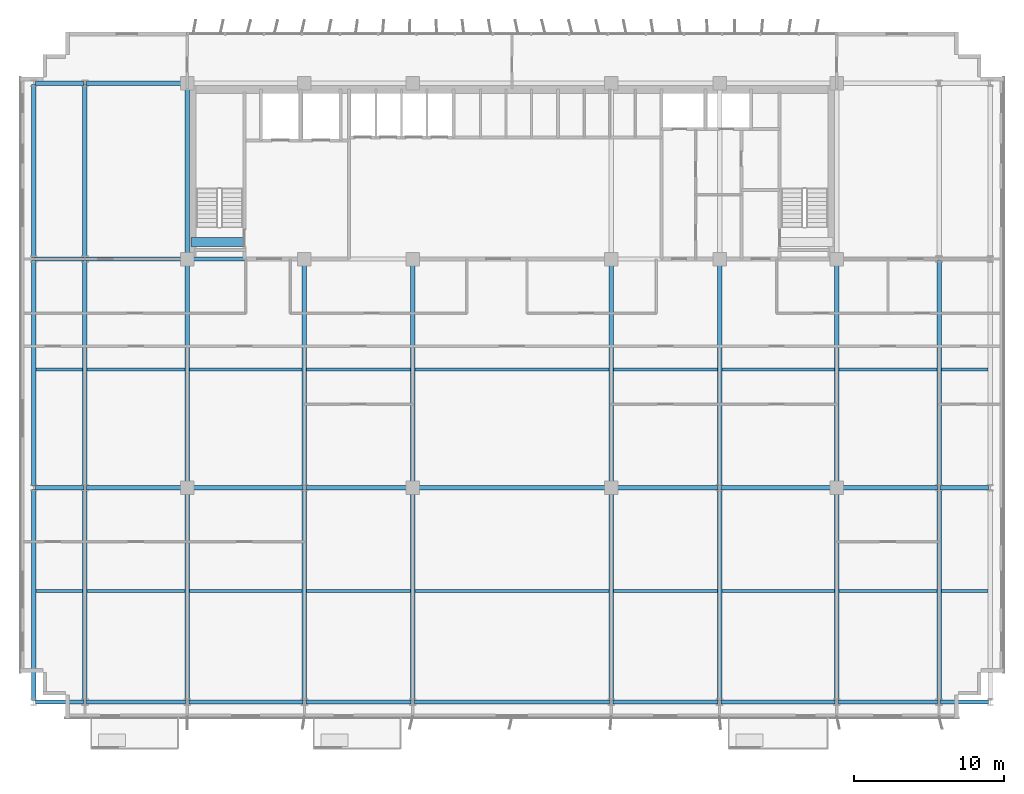
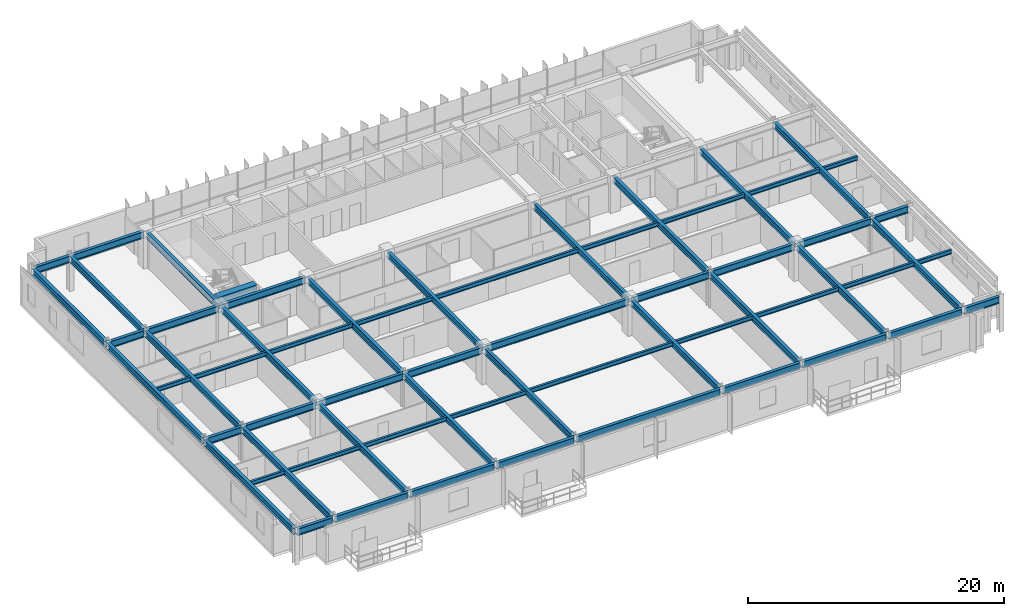
# One storey, part 4 of 21: 63 beams.
"""IFC4 building model written with IfcOpenShell, lengths in metres."""

from ifc_helpers import new_model, si_unit, direction, frame, origin, origin_2d, place, context, subcontext, project, spatial, rectangle, i_section, extrude, source, transform, mapped, material, material_profile, profile_set, type_object, element, save


model = new_model("IFC4")

# Units and contexts
model_context = context("Model", 3, precision=1e-05, world=origin(), true_north=direction((0.0, 1.0)))
body_context = subcontext(model_context, "Body", "Model", "MODEL_VIEW")
ifc_project = project(units=[si_unit("LENGTHUNIT", "METRE"), si_unit("AREAUNIT", "SQUARE_METRE"), si_unit("VOLUMEUNIT", "CUBIC_METRE"), si_unit("PLANEANGLEUNIT", "RADIAN"), si_unit("MASSUNIT", "GRAM", prefix="KILO")], contexts=[model_context])

# Site, building, storey
site_placement = place(None, origin())
site = spatial("IfcSite", under=ifc_project, at=site_placement, CompositionType="ELEMENT")
building_placement = place(site_placement, origin())
building = spatial("IfcBuilding", under=site, at=building_placement, Name="Trelvane Seafront Commons", CompositionType="ELEMENT")
storey_placement = place(building_placement, frame((0.0, 0.0, 37.89990234375)))
storey = spatial("IfcBuildingStorey", under=building, at=storey_placement, Name="L09", CompositionType="ELEMENT", Elevation=37.89990234375)

# Beams
ifc_material_1 = material(Name="Concrete C60/75", Category="concrete")
ifc_material_profile_1 = material_profile(ifc_material_1, rectangle(XDim=0.60009765625, YDim=0.89990234375, at=origin_2d()), Name="RC-600x900")
ifc_profile_set_1 = profile_set([ifc_material_profile_1], Name="Concrete C60/75")
beam_type_1 = type_object("IfcBeamType", Name="STR-LNT-RC600x900", PredefinedType="LINTEL", material=ifc_profile_set_1)
shared_shape_1 = source(origin(), body_context, "Body", "SweptSolid", [
    extrude(rectangle(XDim=0.60009765625, YDim=0.89990234375, at=origin_2d()), origin(), (0.0, 0.0, 1.0), 3.5498046875),
])
beam_1_placement = place(storey_placement, frame((15.85009765625, 34.550048828125, 2.89013671875), z_axis=(1.0, 0.0, 0.0), x_axis=(0.0, 1.0, 0.0)))
element("IfcBeam", 1, at=beam_1_placement, inside=storey, type_object=beam_type_1, Name="L09 Core Coupling Lintel Beam CB-85", PredefinedType="LINTEL", context=body_context, shape_type="MappedRepresentation", body=[
    mapped(shared_shape_1, transform((0.0, 0.0, 0.0), x_axis=(1.0, 0.0, 0.0), y_axis=(0.0, 1.0, 0.0), z_axis=(0.0, 0.0, 1.0), scale=1.0)),
])
ifc_material_2 = material(Name="Steel SM355 (S355)", Category="steel")
ifc_material_profile_2 = material_profile(ifc_material_2, i_section(OverallWidth=0.280029296875, OverallDepth=0.64990234375, WebThickness=0.012939453125, FlangeThickness=0.02197265625, at=origin_2d()), Name="H-650x280x13x22")
ifc_profile_set_2 = profile_set([ifc_material_profile_2], Name="Steel SM355 (S355)")
beam_type_2 = type_object("IfcBeamType", Name="STR-BM-H650", PredefinedType="BEAM", material=ifc_profile_set_2)
shared_shape_2 = source(origin(), body_context, "Body", "SweptSolid", [
    extrude(i_section(OverallWidth=0.280029296875, OverallDepth=0.64990234375, WebThickness=0.012939453125, FlangeThickness=0.02197265625, at=origin_2d()), origin(), (0.0, 0.0, 1.0), 3.190185546875),
])
for number, where, z_axis, x_axis, name in (
    (2, (5.5048828125, 3.949951171875, 3.01513671875), (1.0, 0.0, 0.0), (0.0, 1.0, 0.0), "L09 Primary Girder G-01"),
    (3, (5.5048828125, 18.199951171875, 3.01513671875), (1.0, 0.0, 0.0), (0.0, 1.0, 0.0), "L09 Primary Girder G-10"),
    (4, (5.5048828125, 33.39990234375, 3.01513671875), (1.0, 0.0, 0.0), (0.0, 1.0, 0.0), "L09 Primary Girder G-19"),
    (5, (5.5048828125, 45.10009765625, 3.01513671875), (1.0, 0.0, 0.0), (0.0, 1.0, 0.0), "L09 Primary Girder G-28"),
):
    element("IfcBeam", number, at=place(storey_placement, frame(where, z_axis=z_axis, x_axis=x_axis)), inside=storey, type_object=beam_type_2, Name=name, PredefinedType="BEAM", context=body_context, shape_type="MappedRepresentation", body=[
        mapped(shared_shape_2, transform((0.0, 0.0, 0.0), x_axis=(1.0, 0.0, 0.0), y_axis=(0.0, 1.0, 0.0), z_axis=(0.0, 0.0, 1.0), scale=1.0)),
    ])
shared_shape_3 = source(origin(), body_context, "Body", "SweptSolid", [
    extrude(i_section(OverallWidth=0.280029296875, OverallDepth=0.64990234375, WebThickness=0.012939453125, FlangeThickness=0.02197265625, at=origin_2d()), origin(), (0.0, 0.0, 1.0), 6.590087890625),
])
for number, where, z_axis, x_axis, name in (
    (6, (8.905029296875, 3.949951171875, 3.01513671875), (1.0, 0.0, 0.0), (0.0, 1.0, 0.0), "L09 Primary Girder G-02"),
    (7, (58.905029296875, 3.949951171875, 3.01513671875), (1.0, 0.0, 0.0), (0.0, 1.0, 0.0), "L09 Primary Girder G-08"),
):
    element("IfcBeam", number, at=place(storey_placement, frame(where, z_axis=z_axis, x_axis=x_axis)), inside=storey, type_object=beam_type_2, Name=name, PredefinedType="BEAM", context=body_context, shape_type="MappedRepresentation", body=[
        mapped(shared_shape_3, transform((0.0, 0.0, 0.0), x_axis=(1.0, 0.0, 0.0), y_axis=(0.0, 1.0, 0.0), z_axis=(0.0, 0.0, 1.0), scale=1.0)),
    ])
shared_shape_4 = source(origin(), body_context, "Body", "SweptSolid", [
    extrude(i_section(OverallWidth=0.280029296875, OverallDepth=0.64990234375, WebThickness=0.012939453125, FlangeThickness=0.02197265625, at=origin_2d()), origin(), (0.0, 0.0, 1.0), 7.58984375),
])
beam_2_placement = place(storey_placement, frame((15.705078125, 3.949951171875, 3.01513671875), z_axis=(1.0, 0.0, 0.0), x_axis=(0.0, 1.0, 0.0)))
element("IfcBeam", 8, at=beam_2_placement, inside=storey, type_object=beam_type_2, Name="L09 Primary Girder G-03", PredefinedType="BEAM", context=body_context, shape_type="MappedRepresentation", body=[
    mapped(shared_shape_4, transform((0.0, 0.0, 0.0), x_axis=(1.0, 0.0, 0.0), y_axis=(0.0, 1.0, 0.0), z_axis=(0.0, 0.0, 1.0), scale=1.0)),
])
shared_shape_5 = source(origin(), body_context, "Body", "SweptSolid", [
    extrude(i_section(OverallWidth=0.280029296875, OverallDepth=0.64990234375, WebThickness=0.012939453125, FlangeThickness=0.02197265625, at=origin_2d()), origin(), (0.0, 0.0, 1.0), 6.990234375),
])
beam_3_placement = place(storey_placement, frame((23.5048828125, 3.949951171875, 3.01513671875), z_axis=(1.0, 0.0, 0.0), x_axis=(0.0, 1.0, 0.0)))
element("IfcBeam", 9, at=beam_3_placement, inside=storey, type_object=beam_type_2, Name="L09 Primary Girder G-04", PredefinedType="BEAM", context=body_context, shape_type="MappedRepresentation", body=[
    mapped(shared_shape_5, transform((0.0, 0.0, 0.0), x_axis=(1.0, 0.0, 0.0), y_axis=(0.0, 1.0, 0.0), z_axis=(0.0, 0.0, 1.0), scale=1.0)),
])
shared_shape_6 = source(origin(), body_context, "Body", "SweptSolid", [
    extrude(i_section(OverallWidth=0.280029296875, OverallDepth=0.64990234375, WebThickness=0.012939453125, FlangeThickness=0.02197265625, at=origin_2d()), origin(), (0.0, 0.0, 1.0), 12.989990234375),
])
beam_4_placement = place(storey_placement, frame((30.705078125, 3.949951171875, 3.01513671875), z_axis=(1.0, 0.0, 0.0), x_axis=(0.0, 1.0, 0.0)))
element("IfcBeam", 10, at=beam_4_placement, inside=storey, type_object=beam_type_2, Name="L09 Primary Girder G-05", PredefinedType="BEAM", context=body_context, shape_type="MappedRepresentation", body=[
    mapped(shared_shape_6, transform((0.0, 0.0, 0.0), x_axis=(1.0, 0.0, 0.0), y_axis=(0.0, 1.0, 0.0), z_axis=(0.0, 0.0, 1.0), scale=1.0)),
])
shared_shape_7 = source(origin(), body_context, "Body", "SweptSolid", [
    extrude(i_section(OverallWidth=0.280029296875, OverallDepth=0.64990234375, WebThickness=0.012939453125, FlangeThickness=0.02197265625, at=origin_2d()), origin(), (0.0, 0.0, 1.0), 6.989990234375),
])
beam_5_placement = place(storey_placement, frame((43.905029296875, 3.949951171875, 3.01513671875), z_axis=(1.0, 0.0, 0.0), x_axis=(0.0, 1.0, 0.0)))
element("IfcBeam", 11, at=beam_5_placement, inside=storey, type_object=beam_type_2, Name="L09 Primary Girder G-06", PredefinedType="BEAM", context=body_context, shape_type="MappedRepresentation", body=[
    mapped(shared_shape_7, transform((0.0, 0.0, 0.0), x_axis=(1.0, 0.0, 0.0), y_axis=(0.0, 1.0, 0.0), z_axis=(0.0, 0.0, 1.0), scale=1.0)),
])
shared_shape_8 = source(origin(), body_context, "Body", "SweptSolid", [
    extrude(i_section(OverallWidth=0.280029296875, OverallDepth=0.64990234375, WebThickness=0.012939453125, FlangeThickness=0.02197265625, at=origin_2d()), origin(), (0.0, 0.0, 1.0), 7.590087890625),
])
beam_6_placement = place(storey_placement, frame((51.10498046875, 3.949951171875, 3.01513671875), z_axis=(1.0, 0.0, 0.0), x_axis=(0.0, 1.0, 0.0)))
element("IfcBeam", 12, at=beam_6_placement, inside=storey, type_object=beam_type_2, Name="L09 Primary Girder G-07", PredefinedType="BEAM", context=body_context, shape_type="MappedRepresentation", body=[
    mapped(shared_shape_8, transform((0.0, 0.0, 0.0), x_axis=(1.0, 0.0, 0.0), y_axis=(0.0, 1.0, 0.0), z_axis=(0.0, 0.0, 1.0), scale=1.0)),
])
shared_shape_9 = source(origin(), body_context, "Body", "SweptSolid", [
    extrude(i_section(OverallWidth=0.280029296875, OverallDepth=0.64990234375, WebThickness=0.012939453125, FlangeThickness=0.02197265625, at=origin_2d()), origin(), (0.0, 0.0, 1.0), 3.18994140625),
])
for number, where, z_axis, x_axis, name in (
    (13, (65.705078125, 3.949951171875, 3.01513671875), (1.0, 0.0, 0.0), (0.0, 1.0, 0.0), "L09 Primary Girder G-09"),
    (14, (65.705078125, 18.199951171875, 3.01513671875), (1.0, 0.0, 0.0), (0.0, 1.0, 0.0), "L09 Primary Girder G-18"),
):
    element("IfcBeam", number, at=place(storey_placement, frame(where, z_axis=z_axis, x_axis=x_axis)), inside=storey, type_object=beam_type_2, Name=name, PredefinedType="BEAM", context=body_context, shape_type="MappedRepresentation", body=[
        mapped(shared_shape_9, transform((0.0, 0.0, 0.0), x_axis=(1.0, 0.0, 0.0), y_axis=(0.0, 1.0, 0.0), z_axis=(0.0, 0.0, 1.0), scale=1.0)),
    ])
shared_shape_10 = source(origin(), body_context, "Body", "SweptSolid", [
    extrude(i_section(OverallWidth=0.280029296875, OverallDepth=0.64990234375, WebThickness=0.012939453125, FlangeThickness=0.02197265625, at=origin_2d()), origin(), (0.0, 0.0, 1.0), 6.544921875),
])
for number, where, z_axis, x_axis, name in (
    (15, (8.905029296875, 18.199951171875, 3.01513671875), (1.0, 0.0, 0.0), (0.0, 1.0, 0.0), "L09 Primary Girder G-11"),
    (16, (8.905029296875, 33.39990234375, 3.01513671875), (1.0, 0.0, 0.0), (0.0, 1.0, 0.0), "L09 Primary Girder G-20"),
    (17, (8.905029296875, 45.10009765625, 3.01513671875), (1.0, 0.0, 0.0), (0.0, 1.0, 0.0), "L09 Primary Girder G-29"),
):
    element("IfcBeam", number, at=place(storey_placement, frame(where, z_axis=z_axis, x_axis=x_axis)), inside=storey, type_object=beam_type_2, Name=name, PredefinedType="BEAM", context=body_context, shape_type="MappedRepresentation", body=[
        mapped(shared_shape_10, transform((0.0, 0.0, 0.0), x_axis=(1.0, 0.0, 0.0), y_axis=(0.0, 1.0, 0.0), z_axis=(0.0, 0.0, 1.0), scale=1.0)),
    ])
shared_shape_11 = source(origin(), body_context, "Body", "SweptSolid", [
    extrude(i_section(OverallWidth=0.280029296875, OverallDepth=0.64990234375, WebThickness=0.012939453125, FlangeThickness=0.02197265625, at=origin_2d()), origin(), (0.0, 0.0, 1.0), 7.544921875),
])
for number, where, z_axis, x_axis, name in (
    (18, (15.75, 18.199951171875, 3.01513671875), (1.0, 0.0, 0.0), (0.0, 1.0, 0.0), "L09 Primary Girder G-12"),
    (19, (51.10498046875, 18.199951171875, 3.01513671875), (1.0, 0.0, 0.0), (0.0, 1.0, 0.0), "L09 Primary Girder G-16"),
):
    element("IfcBeam", number, at=place(storey_placement, frame(where, z_axis=z_axis, x_axis=x_axis)), inside=storey, type_object=beam_type_2, Name=name, PredefinedType="BEAM", context=body_context, shape_type="MappedRepresentation", body=[
        mapped(shared_shape_11, transform((0.0, 0.0, 0.0), x_axis=(1.0, 0.0, 0.0), y_axis=(0.0, 1.0, 0.0), z_axis=(0.0, 0.0, 1.0), scale=1.0)),
    ])
shared_shape_12 = source(origin(), body_context, "Body", "SweptSolid", [
    extrude(i_section(OverallWidth=0.280029296875, OverallDepth=0.64990234375, WebThickness=0.012939453125, FlangeThickness=0.02197265625, at=origin_2d()), origin(), (0.0, 0.0, 1.0), 6.945068359375),
])
for number, where, z_axis, x_axis, name in (
    (20, (23.5048828125, 18.199951171875, 3.01513671875), (1.0, 0.0, 0.0), (0.0, 1.0, 0.0), "L09 Primary Girder G-13"),
    (21, (43.949951171875, 18.199951171875, 3.01513671875), (1.0, 0.0, 0.0), (0.0, 1.0, 0.0), "L09 Primary Girder G-15"),
):
    element("IfcBeam", number, at=place(storey_placement, frame(where, z_axis=z_axis, x_axis=x_axis)), inside=storey, type_object=beam_type_2, Name=name, PredefinedType="BEAM", context=body_context, shape_type="MappedRepresentation", body=[
        mapped(shared_shape_12, transform((0.0, 0.0, 0.0), x_axis=(1.0, 0.0, 0.0), y_axis=(0.0, 1.0, 0.0), z_axis=(0.0, 0.0, 1.0), scale=1.0)),
    ])
shared_shape_13 = source(origin(), body_context, "Body", "SweptSolid", [
    extrude(i_section(OverallWidth=0.280029296875, OverallDepth=0.64990234375, WebThickness=0.012939453125, FlangeThickness=0.02197265625, at=origin_2d()), origin(), (0.0, 0.0, 1.0), 12.89990234375),
])
beam_7_placement = place(storey_placement, frame((30.75, 18.199951171875, 3.01513671875), z_axis=(1.0, 0.0, 0.0), x_axis=(0.0, 1.0, 0.0)))
element("IfcBeam", 22, at=beam_7_placement, inside=storey, type_object=beam_type_2, Name="L09 Primary Girder G-14", PredefinedType="BEAM", context=body_context, shape_type="MappedRepresentation", body=[
    mapped(shared_shape_13, transform((0.0, 0.0, 0.0), x_axis=(1.0, 0.0, 0.0), y_axis=(0.0, 1.0, 0.0), z_axis=(0.0, 0.0, 1.0), scale=1.0)),
])
shared_shape_14 = source(origin(), body_context, "Body", "SweptSolid", [
    extrude(i_section(OverallWidth=0.280029296875, OverallDepth=0.64990234375, WebThickness=0.012939453125, FlangeThickness=0.02197265625, at=origin_2d()), origin(), (0.0, 0.0, 1.0), 6.545166015625),
])
beam_8_placement = place(storey_placement, frame((58.949951171875, 18.199951171875, 3.01513671875), z_axis=(1.0, 0.0, 0.0), x_axis=(0.0, 1.0, 0.0)))
element("IfcBeam", 23, at=beam_8_placement, inside=storey, type_object=beam_type_2, Name="L09 Primary Girder G-17", PredefinedType="BEAM", context=body_context, shape_type="MappedRepresentation", body=[
    mapped(shared_shape_14, transform((0.0, 0.0, 0.0), x_axis=(1.0, 0.0, 0.0), y_axis=(0.0, 1.0, 0.0), z_axis=(0.0, 0.0, 1.0), scale=1.0)),
])
shared_shape_15 = source(origin(), body_context, "Body", "SweptSolid", [
    extrude(i_section(OverallWidth=0.280029296875, OverallDepth=0.64990234375, WebThickness=0.012939453125, FlangeThickness=0.02197265625, at=origin_2d()), origin(), (0.0, 0.0, 1.0), 7.5),
])
beam_9_placement = place(storey_placement, frame((15.75, 33.39990234375, 3.01513671875), z_axis=(1.0, 0.0, 0.0), x_axis=(0.0, 1.0, 0.0)))
element("IfcBeam", 24, at=beam_9_placement, inside=storey, type_object=beam_type_2, Name="L09 Primary Girder G-21", PredefinedType="BEAM", context=body_context, shape_type="MappedRepresentation", body=[
    mapped(shared_shape_15, transform((0.0, 0.0, 0.0), x_axis=(1.0, 0.0, 0.0), y_axis=(0.0, 1.0, 0.0), z_axis=(0.0, 0.0, 1.0), scale=1.0)),
])
ifc_material_profile_3 = material_profile(ifc_material_2, i_section(OverallWidth=0.300048828125, OverallDepth=0.587890625, WebThickness=0.011962890625, FlangeThickness=0.02001953125, at=origin_2d()), Name="H-588x300x12x20")
ifc_profile_set_3 = profile_set([ifc_material_profile_3], Name="Steel SM355 (S355)")
beam_type_3 = type_object("IfcBeamType", Name="STR-BM-H588", PredefinedType="BEAM", material=ifc_profile_set_3)
shared_shape_16 = source(origin(), body_context, "Body", "SweptSolid", [
    extrude(i_section(OverallWidth=0.300048828125, OverallDepth=0.587890625, WebThickness=0.011962890625, FlangeThickness=0.02001953125, at=origin_2d()), origin(), (0.0, 0.0, 1.0), 14.0400390625),
])
for number, where, z_axis, x_axis, name in (
    (25, (5.39990234375, 4.054931640625, 3.046142578125), (0.0, 1.0, 0.0), (-1.0, 0.0, 0.0), "L09 Primary Girder G-37"),
    (26, (8.800048828125, 4.054931640625, 3.046142578125), (0.0, 1.0, 0.0), (-1.0, 0.0, 0.0), "L09 Primary Girder G-40"),
    (27, (23.39990234375, 4.054931640625, 3.046142578125), (0.0, 1.0, 0.0), (-1.0, 0.0, 0.0), "L09 Primary Girder G-46"),
    (28, (51.0, 4.054931640625, 3.046142578125), (0.0, 1.0, 0.0), (-1.0, 0.0, 0.0), "L09 Primary Girder G-55"),
    (29, (65.60009765625, 4.054931640625, 3.046142578125), (0.0, 1.0, 0.0), (-1.0, 0.0, 0.0), "L09 Primary Girder G-61"),
):
    element("IfcBeam", number, at=place(storey_placement, frame(where, z_axis=z_axis, x_axis=x_axis)), inside=storey, type_object=beam_type_3, Name=name, PredefinedType="BEAM", context=body_context, shape_type="MappedRepresentation", body=[
        mapped(shared_shape_16, transform((0.0, 0.0, 0.0), x_axis=(1.0, 0.0, 0.0), y_axis=(0.0, 1.0, 0.0), z_axis=(0.0, 0.0, 1.0), scale=1.0)),
    ])
shared_shape_17 = source(origin(), body_context, "Body", "SweptSolid", [
    extrude(i_section(OverallWidth=0.300048828125, OverallDepth=0.587890625, WebThickness=0.011962890625, FlangeThickness=0.02001953125, at=origin_2d()), origin(), (0.0, 0.0, 1.0), 14.989990234375),
])
for number, where, z_axis, x_axis, name in (
    (30, (5.39990234375, 18.304931640625, 3.046142578125), (0.0, 1.0, 0.0), (-1.0, 0.0, 0.0), "L09 Primary Girder G-38"),
    (31, (8.800048828125, 18.304931640625, 3.046142578125), (0.0, 1.0, 0.0), (-1.0, 0.0, 0.0), "L09 Primary Girder G-41"),
    (32, (65.60009765625, 18.304931640625, 3.046142578125), (0.0, 1.0, 0.0), (-1.0, 0.0, 0.0), "L09 Primary Girder G-62"),
):
    element("IfcBeam", number, at=place(storey_placement, frame(where, z_axis=z_axis, x_axis=x_axis)), inside=storey, type_object=beam_type_3, Name=name, PredefinedType="BEAM", context=body_context, shape_type="MappedRepresentation", body=[
        mapped(shared_shape_17, transform((0.0, 0.0, 0.0), x_axis=(1.0, 0.0, 0.0), y_axis=(0.0, 1.0, 0.0), z_axis=(0.0, 0.0, 1.0), scale=1.0)),
    ])
shared_shape_18 = source(origin(), body_context, "Body", "SweptSolid", [
    extrude(i_section(OverallWidth=0.300048828125, OverallDepth=0.587890625, WebThickness=0.011962890625, FlangeThickness=0.02001953125, at=origin_2d()), origin(), (0.0, 0.0, 1.0), 11.490234375),
])
for number, where, z_axis, x_axis, name in (
    (33, (5.39990234375, 33.5048828125, 3.046142578125), (0.0, 1.0, 0.0), (-1.0, 0.0, 0.0), "L09 Primary Girder G-39"),
    (34, (8.800048828125, 33.5048828125, 3.046142578125), (0.0, 1.0, 0.0), (-1.0, 0.0, 0.0), "L09 Primary Girder G-42"),
):
    element("IfcBeam", number, at=place(storey_placement, frame(where, z_axis=z_axis, x_axis=x_axis)), inside=storey, type_object=beam_type_3, Name=name, PredefinedType="BEAM", context=body_context, shape_type="MappedRepresentation", body=[
        mapped(shared_shape_18, transform((0.0, 0.0, 0.0), x_axis=(1.0, 0.0, 0.0), y_axis=(0.0, 1.0, 0.0), z_axis=(0.0, 0.0, 1.0), scale=1.0)),
    ])
shared_shape_19 = source(origin(), body_context, "Body", "SweptSolid", [
    extrude(i_section(OverallWidth=0.300048828125, OverallDepth=0.587890625, WebThickness=0.011962890625, FlangeThickness=0.02001953125, at=origin_2d()), origin(), (0.0, 0.0, 1.0), 13.9951171875),
])
for number, where, z_axis, x_axis, name in (
    (35, (15.60009765625, 4.054931640625, 3.046142578125), (0.0, 1.0, 0.0), (-1.0, 0.0, 0.0), "L09 Primary Girder G-43"),
    (36, (30.60009765625, 4.054931640625, 3.046142578125), (0.0, 1.0, 0.0), (-1.0, 0.0, 0.0), "L09 Primary Girder G-49"),
    (37, (43.800048828125, 4.054931640625, 3.046142578125), (0.0, 1.0, 0.0), (-1.0, 0.0, 0.0), "L09 Primary Girder G-52"),
    (38, (58.800048828125, 4.054931640625, 3.046142578125), (0.0, 1.0, 0.0), (-1.0, 0.0, 0.0), "L09 Primary Girder G-58"),
):
    element("IfcBeam", number, at=place(storey_placement, frame(where, z_axis=z_axis, x_axis=x_axis)), inside=storey, type_object=beam_type_3, Name=name, PredefinedType="BEAM", context=body_context, shape_type="MappedRepresentation", body=[
        mapped(shared_shape_19, transform((0.0, 0.0, 0.0), x_axis=(1.0, 0.0, 0.0), y_axis=(0.0, 1.0, 0.0), z_axis=(0.0, 0.0, 1.0), scale=1.0)),
    ])
shared_shape_20 = source(origin(), body_context, "Body", "SweptSolid", [
    extrude(i_section(OverallWidth=0.300048828125, OverallDepth=0.587890625, WebThickness=0.011962890625, FlangeThickness=0.02001953125, at=origin_2d()), origin(), (0.0, 0.0, 1.0), 14.89990234375),
])
for number, where, z_axis, x_axis, name in (
    (39, (15.60009765625, 18.35009765625, 3.046142578125), (0.0, 1.0, 0.0), (-1.0, 0.0, 0.0), "L09 Primary Girder G-44"),
    (40, (30.60009765625, 18.35009765625, 3.046142578125), (0.0, 1.0, 0.0), (-1.0, 0.0, 0.0), "L09 Primary Girder G-50"),
    (41, (43.800048828125, 18.35009765625, 3.046142578125), (0.0, 1.0, 0.0), (-1.0, 0.0, 0.0), "L09 Primary Girder G-53"),
    (42, (58.800048828125, 18.35009765625, 3.046142578125), (0.0, 1.0, 0.0), (-1.0, 0.0, 0.0), "L09 Primary Girder G-59"),
):
    element("IfcBeam", number, at=place(storey_placement, frame(where, z_axis=z_axis, x_axis=x_axis)), inside=storey, type_object=beam_type_3, Name=name, PredefinedType="BEAM", context=body_context, shape_type="MappedRepresentation", body=[
        mapped(shared_shape_20, transform((0.0, 0.0, 0.0), x_axis=(1.0, 0.0, 0.0), y_axis=(0.0, 1.0, 0.0), z_axis=(0.0, 0.0, 1.0), scale=1.0)),
    ])
shared_shape_21 = source(origin(), body_context, "Body", "SweptSolid", [
    extrude(i_section(OverallWidth=0.300048828125, OverallDepth=0.587890625, WebThickness=0.011962890625, FlangeThickness=0.02001953125, at=origin_2d()), origin(), (0.0, 0.0, 1.0), 11.39990234375),
])
beam_10_placement = place(storey_placement, frame((15.60009765625, 33.550048828125, 3.046142578125), z_axis=(0.0, 1.0, 0.0), x_axis=(-1.0, 0.0, 0.0)))
element("IfcBeam", 43, at=beam_10_placement, inside=storey, type_object=beam_type_3, Name="L09 Primary Girder G-45", PredefinedType="BEAM", context=body_context, shape_type="MappedRepresentation", body=[
    mapped(shared_shape_21, transform((0.0, 0.0, 0.0), x_axis=(1.0, 0.0, 0.0), y_axis=(0.0, 1.0, 0.0), z_axis=(0.0, 0.0, 1.0), scale=1.0)),
])
shared_shape_22 = source(origin(), body_context, "Body", "SweptSolid", [
    extrude(i_section(OverallWidth=0.300048828125, OverallDepth=0.587890625, WebThickness=0.011962890625, FlangeThickness=0.02001953125, at=origin_2d()), origin(), (0.0, 0.0, 1.0), 14.945068359375),
])
for number, where, z_axis, x_axis, name in (
    (44, (23.39990234375, 18.304931640625, 3.046142578125), (0.0, 1.0, 0.0), (-1.0, 0.0, 0.0), "L09 Primary Girder G-47"),
    (45, (51.0, 18.304931640625, 3.046142578125), (0.0, 1.0, 0.0), (-1.0, 0.0, 0.0), "L09 Primary Girder G-56"),
):
    element("IfcBeam", number, at=place(storey_placement, frame(where, z_axis=z_axis, x_axis=x_axis)), inside=storey, type_object=beam_type_3, Name=name, PredefinedType="BEAM", context=body_context, shape_type="MappedRepresentation", body=[
        mapped(shared_shape_22, transform((0.0, 0.0, 0.0), x_axis=(1.0, 0.0, 0.0), y_axis=(0.0, 1.0, 0.0), z_axis=(0.0, 0.0, 1.0), scale=1.0)),
    ])
ifc_material_profile_4 = material_profile(ifc_material_2, i_section(OverallWidth=0.199951171875, OverallDepth=0.39990234375, WebThickness=0.008056640625, FlangeThickness=0.012939453125, at=origin_2d()), Name="H-400x200x8x13")
ifc_profile_set_4 = profile_set([ifc_material_profile_4], Name="Steel SM355 (S355)")
beam_type_4 = type_object("IfcBeamType", Name="STR-JST-H400", PredefinedType="JOIST", material=ifc_profile_set_4)
shared_shape_23 = source(origin(), body_context, "Body", "SweptSolid", [
    extrude(i_section(OverallWidth=0.199951171875, OverallDepth=0.39990234375, WebThickness=0.008056640625, FlangeThickness=0.012939453125, at=origin_2d()), origin(), (0.0, 0.0, 1.0), 3.099853515625),
])
for number, where, z_axis, x_axis, name in (
    (46, (5.550048828125, 11.324951171875, 3.14013671875), (1.0, 0.0, 0.0), (0.0, 1.0, 0.0), "L09 Secondary Floor Joist B-67"),
    (47, (5.550048828125, 26.050048828125, 3.14013671875), (1.0, 0.0, 0.0), (0.0, 1.0, 0.0), "L09 Secondary Floor Joist B-76"),
):
    element("IfcBeam", number, at=place(storey_placement, frame(where, z_axis=z_axis, x_axis=x_axis)), inside=storey, type_object=beam_type_4, Name=name, PredefinedType="JOIST", context=body_context, shape_type="MappedRepresentation", body=[
        mapped(shared_shape_23, transform((0.0, 0.0, 0.0), x_axis=(1.0, 0.0, 0.0), y_axis=(0.0, 1.0, 0.0), z_axis=(0.0, 0.0, 1.0), scale=1.0)),
    ])
shared_shape_24 = source(origin(), body_context, "Body", "SweptSolid", [
    extrude(i_section(OverallWidth=0.199951171875, OverallDepth=0.39990234375, WebThickness=0.008056640625, FlangeThickness=0.012939453125, at=origin_2d()), origin(), (0.0, 0.0, 1.0), 6.5),
])
for number, where, z_axis, x_axis, name in (
    (48, (8.949951171875, 11.324951171875, 3.14013671875), (1.0, 0.0, 0.0), (0.0, 1.0, 0.0), "L09 Secondary Floor Joist B-68"),
    (49, (58.949951171875, 11.324951171875, 3.14013671875), (1.0, 0.0, 0.0), (0.0, 1.0, 0.0), "L09 Secondary Floor Joist B-74"),
    (50, (8.949951171875, 26.050048828125, 3.14013671875), (1.0, 0.0, 0.0), (0.0, 1.0, 0.0), "L09 Secondary Floor Joist B-77"),
    (51, (58.949951171875, 26.050048828125, 3.14013671875), (1.0, 0.0, 0.0), (0.0, 1.0, 0.0), "L09 Secondary Floor Joist B-83"),
):
    element("IfcBeam", number, at=place(storey_placement, frame(where, z_axis=z_axis, x_axis=x_axis)), inside=storey, type_object=beam_type_4, Name=name, PredefinedType="JOIST", context=body_context, shape_type="MappedRepresentation", body=[
        mapped(shared_shape_24, transform((0.0, 0.0, 0.0), x_axis=(1.0, 0.0, 0.0), y_axis=(0.0, 1.0, 0.0), z_axis=(0.0, 0.0, 1.0), scale=1.0)),
    ])
shared_shape_25 = source(origin(), body_context, "Body", "SweptSolid", [
    extrude(i_section(OverallWidth=0.199951171875, OverallDepth=0.39990234375, WebThickness=0.008056640625, FlangeThickness=0.012939453125, at=origin_2d()), origin(), (0.0, 0.0, 1.0), 7.5),
])
for number, where, z_axis, x_axis, name in (
    (52, (15.75, 11.324951171875, 3.14013671875), (1.0, 0.0, 0.0), (0.0, 1.0, 0.0), "L09 Secondary Floor Joist B-69"),
    (53, (51.14990234375, 11.324951171875, 3.14013671875), (1.0, 0.0, 0.0), (0.0, 1.0, 0.0), "L09 Secondary Floor Joist B-73"),
    (54, (15.75, 26.050048828125, 3.14013671875), (1.0, 0.0, 0.0), (0.0, 1.0, 0.0), "L09 Secondary Floor Joist B-78"),
    (55, (51.14990234375, 26.050048828125, 3.14013671875), (1.0, 0.0, 0.0), (0.0, 1.0, 0.0), "L09 Secondary Floor Joist B-82"),
):
    element("IfcBeam", number, at=place(storey_placement, frame(where, z_axis=z_axis, x_axis=x_axis)), inside=storey, type_object=beam_type_4, Name=name, PredefinedType="JOIST", context=body_context, shape_type="MappedRepresentation", body=[
        mapped(shared_shape_25, transform((0.0, 0.0, 0.0), x_axis=(1.0, 0.0, 0.0), y_axis=(0.0, 1.0, 0.0), z_axis=(0.0, 0.0, 1.0), scale=1.0)),
    ])
shared_shape_26 = source(origin(), body_context, "Body", "SweptSolid", [
    extrude(i_section(OverallWidth=0.199951171875, OverallDepth=0.39990234375, WebThickness=0.008056640625, FlangeThickness=0.012939453125, at=origin_2d()), origin(), (0.0, 0.0, 1.0), 6.89990234375),
])
for number, where, z_axis, x_axis, name in (
    (56, (23.550048828125, 11.324951171875, 3.14013671875), (1.0, 0.0, 0.0), (0.0, 1.0, 0.0), "L09 Secondary Floor Joist B-70"),
    (57, (23.550048828125, 26.050048828125, 3.14013671875), (1.0, 0.0, 0.0), (0.0, 1.0, 0.0), "L09 Secondary Floor Joist B-79"),
):
    element("IfcBeam", number, at=place(storey_placement, frame(where, z_axis=z_axis, x_axis=x_axis)), inside=storey, type_object=beam_type_4, Name=name, PredefinedType="JOIST", context=body_context, shape_type="MappedRepresentation", body=[
        mapped(shared_shape_26, transform((0.0, 0.0, 0.0), x_axis=(1.0, 0.0, 0.0), y_axis=(0.0, 1.0, 0.0), z_axis=(0.0, 0.0, 1.0), scale=1.0)),
    ])
shared_shape_27 = source(origin(), body_context, "Body", "SweptSolid", [
    extrude(i_section(OverallWidth=0.199951171875, OverallDepth=0.39990234375, WebThickness=0.008056640625, FlangeThickness=0.012939453125, at=origin_2d()), origin(), (0.0, 0.0, 1.0), 12.89990234375),
])
for number, where, z_axis, x_axis, name in (
    (58, (30.75, 11.324951171875, 3.14013671875), (1.0, 0.0, 0.0), (0.0, 1.0, 0.0), "L09 Secondary Floor Joist B-71"),
    (59, (30.75, 26.050048828125, 3.14013671875), (1.0, 0.0, 0.0), (0.0, 1.0, 0.0), "L09 Secondary Floor Joist B-80"),
):
    element("IfcBeam", number, at=place(storey_placement, frame(where, z_axis=z_axis, x_axis=x_axis)), inside=storey, type_object=beam_type_4, Name=name, PredefinedType="JOIST", context=body_context, shape_type="MappedRepresentation", body=[
        mapped(shared_shape_27, transform((0.0, 0.0, 0.0), x_axis=(1.0, 0.0, 0.0), y_axis=(0.0, 1.0, 0.0), z_axis=(0.0, 0.0, 1.0), scale=1.0)),
    ])
shared_shape_28 = source(origin(), body_context, "Body", "SweptSolid", [
    extrude(i_section(OverallWidth=0.199951171875, OverallDepth=0.39990234375, WebThickness=0.008056640625, FlangeThickness=0.012939453125, at=origin_2d()), origin(), (0.0, 0.0, 1.0), 6.900146484375),
])
for number, where, z_axis, x_axis, name in (
    (60, (43.949951171875, 11.324951171875, 3.14013671875), (1.0, 0.0, 0.0), (0.0, 1.0, 0.0), "L09 Secondary Floor Joist B-72"),
    (61, (43.949951171875, 26.050048828125, 3.14013671875), (1.0, 0.0, 0.0), (0.0, 1.0, 0.0), "L09 Secondary Floor Joist B-81"),
):
    element("IfcBeam", number, at=place(storey_placement, frame(where, z_axis=z_axis, x_axis=x_axis)), inside=storey, type_object=beam_type_4, Name=name, PredefinedType="JOIST", context=body_context, shape_type="MappedRepresentation", body=[
        mapped(shared_shape_28, transform((0.0, 0.0, 0.0), x_axis=(1.0, 0.0, 0.0), y_axis=(0.0, 1.0, 0.0), z_axis=(0.0, 0.0, 1.0), scale=1.0)),
    ])
shared_shape_29 = source(origin(), body_context, "Body", "SweptSolid", [
    extrude(i_section(OverallWidth=0.199951171875, OverallDepth=0.39990234375, WebThickness=0.008056640625, FlangeThickness=0.012939453125, at=origin_2d()), origin(), (0.0, 0.0, 1.0), 3.10009765625),
])
for number, where, z_axis, x_axis, name in (
    (62, (65.75, 11.324951171875, 3.14013671875), (1.0, 0.0, 0.0), (0.0, 1.0, 0.0), "L09 Secondary Floor Joist B-75"),
    (63, (65.75, 26.050048828125, 3.14013671875), (1.0, 0.0, 0.0), (0.0, 1.0, 0.0), "L09 Secondary Floor Joist B-84"),
):
    element("IfcBeam", number, at=place(storey_placement, frame(where, z_axis=z_axis, x_axis=x_axis)), inside=storey, type_object=beam_type_4, Name=name, PredefinedType="JOIST", context=body_context, shape_type="MappedRepresentation", body=[
        mapped(shared_shape_29, transform((0.0, 0.0, 0.0), x_axis=(1.0, 0.0, 0.0), y_axis=(0.0, 1.0, 0.0), z_axis=(0.0, 0.0, 1.0), scale=1.0)),
    ])

save(model, "model.ifc")
